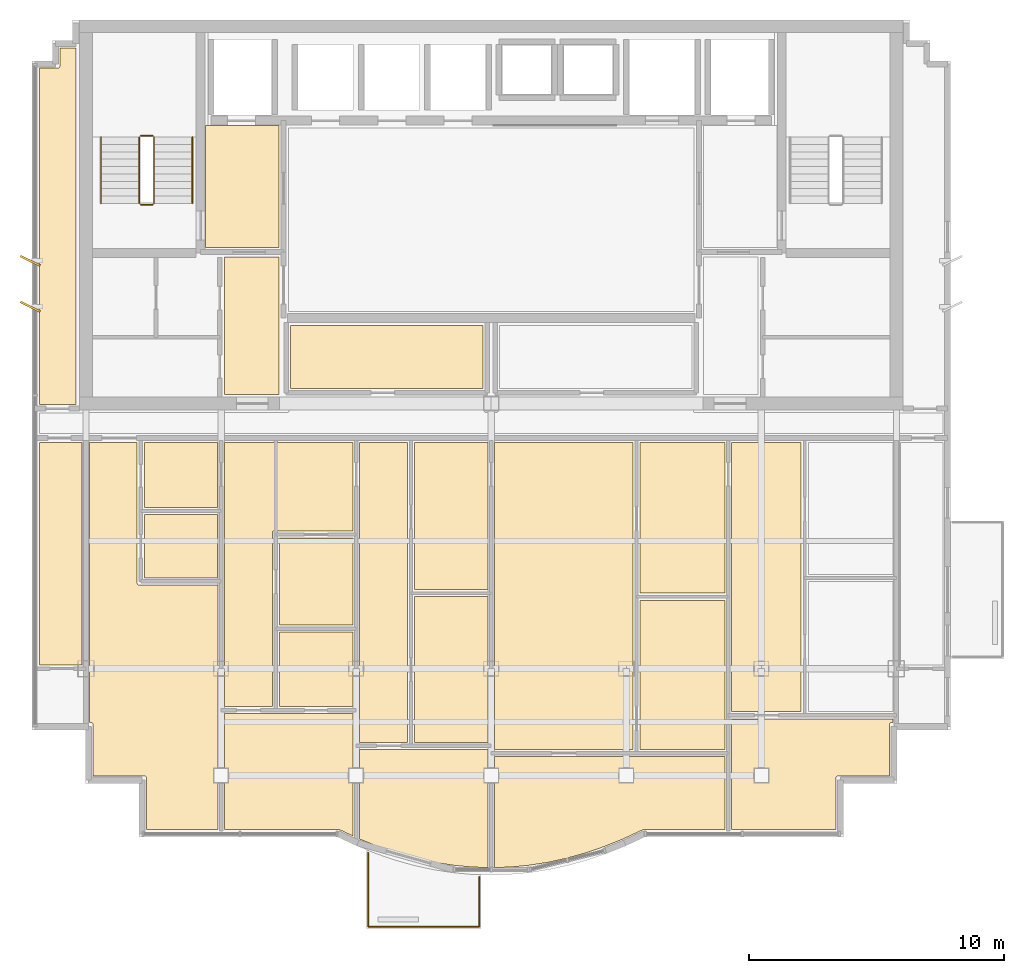
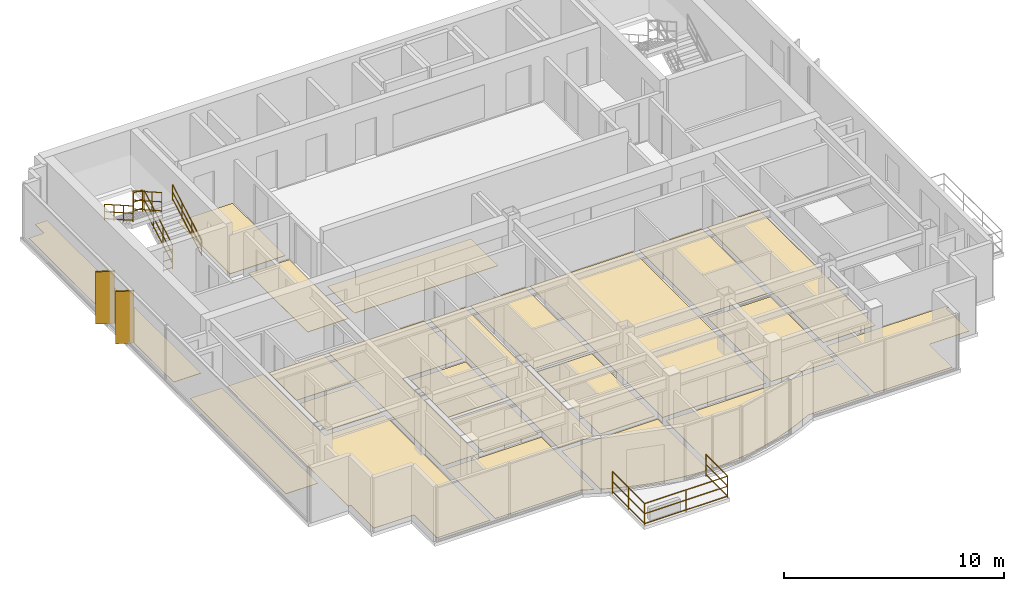
# One storey, part 10 of 11: 22 coverings, 7 railings, 2 shading devices.
"""IFC4 building model written with IfcOpenShell, lengths in metres."""

from ifc_helpers import new_model, si_unit, direction, frame, origin, origin_2d, place, context, subcontext, project, spatial, polyline, rectangle, circle, outline, extrude, source, transform, mapped, material, layer, layer_set, type_object, element, save


model = new_model("IFC4")

# Units and contexts
model_context = context("Model", 3, precision=1e-05, world=origin(), true_north=direction((0.0, 1.0)))
body_context = subcontext(model_context, "Body", "Model", "MODEL_VIEW")
ifc_project = project(units=[si_unit("LENGTHUNIT", "METRE"), si_unit("AREAUNIT", "SQUARE_METRE"), si_unit("VOLUMEUNIT", "CUBIC_METRE"), si_unit("PLANEANGLEUNIT", "RADIAN"), si_unit("MASSUNIT", "GRAM", prefix="KILO")], contexts=[model_context])

# Site, building, storey
site_placement = place(None, origin())
site = spatial("IfcSite", under=ifc_project, at=site_placement, CompositionType="ELEMENT")
building_placement = place(site_placement, origin())
building = spatial("IfcBuilding", under=site, at=building_placement, Name="Qianlan Lanfeng Residences", CompositionType="ELEMENT")
storey_placement = place(building_placement, frame((0.0, 0.0, 262.699951171875)))
storey = spatial("IfcBuildingStorey", under=building, at=storey_placement, Name="L73", CompositionType="ELEMENT", Elevation=262.699951171875)

# Coverings
ifc_material_1 = material(Name="Honed Taitung Granite Stone Flooring", Category="masonry")
ifc_layer_1 = layer(ifc_material_1, 0.030029296875)
ifc_layer_set_1 = layer_set([ifc_layer_1], Name="Honed Taitung Granite Stone Flooring")
covering_type_1 = type_object("IfcCoveringType", Name="FLR-STN-30", PredefinedType="FLOORING", material=ifc_layer_set_1)
covering_1_placement = place(storey_placement, origin())
element("IfcCovering", 1, at=covering_1_placement, inside=storey, type_object=covering_type_1, Name="L73 Firefighting Lift Lobby Floor Finish", PredefinedType="FLOORING", context=body_context, shape_type="SweptSolid", body=[
    extrude(outline(polyline([(15.2900390625, 31.320068359375), (18.179931640625, 31.320068359375), (18.179931640625, 36.110107421875), (15.2900390625, 36.110107421875), (15.2900390625, 31.320068359375)])), origin(), (0.0, 0.0, 1.0), 0.030029296875),
])
covering_2_placement = place(storey_placement, origin())
element("IfcCovering", 2, at=covering_2_placement, inside=storey, type_object=covering_type_1, Name="L73 Lift Lobby Floor Finish", PredefinedType="FLOORING", context=body_context, shape_type="SweptSolid", body=[
    extrude(outline(polyline([(16.030029296875, 25.56005859375), (18.169921875, 25.56005859375), (18.169921875, 30.949951171875), (16.030029296875, 30.949951171875), (16.030029296875, 25.56005859375)])), origin(), (0.0, 0.0, 1.0), 0.030029296875),
])
ifc_material_2 = material(Name="Slip-Resistant Porcelain Tile Flooring")
ifc_layer_2 = layer(ifc_material_2, 0.02001953125)
ifc_layer_set_2 = layer_set([ifc_layer_2], Name="Slip-Resistant Porcelain Tile Flooring")
covering_type_2 = type_object("IfcCoveringType", Name="FLR-TIL-20", PredefinedType="FLOORING", material=ifc_layer_set_2)
covering_3_placement = place(storey_placement, origin())
element("IfcCovering", 3, at=covering_3_placement, inside=storey, type_object=covering_type_2, Name="L73 Kitchen Floor Finish", PredefinedType="FLOORING", context=body_context, shape_type="SweptSolid", body=[
    extrude(outline(polyline([(12.889892578125, 18.360107421875), (15.760009765625, 18.360107421875), (15.760009765625, 20.844970703125), (12.889892578125, 20.844970703125), (12.889892578125, 18.360107421875)])), origin(), (0.0, 0.0, 1.0), 0.02001953125),
])
covering_4_placement = place(storey_placement, origin())
element("IfcCovering", 4, at=covering_4_placement, inside=storey, type_object=covering_type_2, Name="L73 Bathroom Floor Finish", PredefinedType="FLOORING", context=body_context, shape_type="SweptSolid", body=[
    extrude(outline(polyline([(12.889892578125, 21.125), (15.760009765625, 21.125), (15.760009765625, 23.679931640625), (12.889892578125, 23.679931640625), (12.889892578125, 21.125)])), origin(), (0.0, 0.0, 1.0), 0.02001953125),
])
covering_5_placement = place(storey_placement, origin())
element("IfcCovering", 5, at=covering_5_placement, inside=storey, type_object=covering_type_2, Name="L73 En-Suite Bathroom Floor Finish", PredefinedType="FLOORING", context=body_context, shape_type="SweptSolid", body=[
    extrude(outline(polyline([(18.18994140625, 13.31005859375), (21.070068359375, 13.31005859375), (21.070068359375, 16.22998046875), (18.18994140625, 16.22998046875), (18.18994140625, 13.31005859375)])), origin(), (0.0, 0.0, 1.0), 0.02001953125),
])
ifc_material_3 = material(Name="Engineered Smoked Oak Timber Flooring", Category="wood")
ifc_layer_3 = layer(ifc_material_3, 0.02197265625)
ifc_layer_set_3 = layer_set([ifc_layer_3], Name="Engineered Smoked Oak Timber Flooring")
covering_type_3 = type_object("IfcCoveringType", Name="FLR-TIM-22", PredefinedType="FLOORING", material=ifc_layer_set_3)
covering_6_placement = place(storey_placement, origin())
element("IfcCovering", 6, at=covering_6_placement, inside=storey, type_object=covering_type_3, Name="L73 Gallery Salon Floor Finish", PredefinedType="FLOORING", context=body_context, shape_type="SweptSolid", body=[
    extrude(outline(polyline([(18.6298828125, 25.800048828125), (26.169921875, 25.800048828125), (26.169921875, 28.2548828125), (18.6298828125, 28.2548828125), (18.6298828125, 25.800048828125)])), origin(), (0.0, 0.0, 1.0), 0.02197265625),
])
covering_7_placement = place(storey_placement, origin())
element("IfcCovering", 7, at=covering_7_placement, inside=storey, type_object=covering_type_3, Name="L73 Living and Dining Room Floor Finish", PredefinedType="FLOORING", context=body_context, shape_type="SweptSolid", body=[
    extrude(outline(polyline([(15.77001953125, 8.489990234375), (15.77001953125, 18.080078125), (12.679931640625, 18.080078125), (12.673095703125, 18.080078125), (12.666015625, 18.0810546875), (12.659912109375, 18.0830078125), (12.653076171875, 18.0849609375), (12.64697265625, 18.087890625), (12.64111328125, 18.092041015625), (12.635986328125, 18.095947265625), (12.631103515625, 18.10107421875), (12.6259765625, 18.10595703125), (12.6220703125, 18.111083984375), (12.617919921875, 18.116943359375), (12.614990234375, 18.123046875), (12.613037109375, 18.1298828125), (12.611083984375, 18.135986328125), (12.610107421875, 18.14306640625), (12.610107421875, 18.14990234375), (12.610107421875, 23.679931640625), (10.72998046875, 23.679931640625), (10.72998046875, 12.68994140625), (10.800048828125, 12.68994140625), (10.806884765625, 12.68994140625), (10.81396484375, 12.68896484375), (10.820068359375, 12.68701171875), (10.826904296875, 12.68505859375), (10.8330078125, 12.681884765625), (10.839111328125, 12.677978515625), (10.843994140625, 12.674072265625), (10.84912109375, 12.6689453125), (10.85400390625, 12.6640625), (10.85791015625, 12.658935546875), (10.862060546875, 12.653076171875), (10.864990234375, 12.64697265625), (10.866943359375, 12.639892578125), (10.868896484375, 12.634033203125), (10.8701171875, 12.626953125), (10.8701171875, 12.6201171875), (10.8701171875, 10.590087890625), (12.89990234375, 10.590087890625), (12.906982421875, 10.590087890625), (12.9140625, 10.589111328125), (12.919921875, 10.5869140625), (12.927001953125, 10.5849609375), (12.93310546875, 10.58203125), (12.93896484375, 10.577880859375), (12.944091796875, 10.573974609375), (12.948974609375, 10.569091796875), (12.9541015625, 10.56396484375), (12.9580078125, 10.55908203125), (12.9619140625, 10.552978515625), (12.965087890625, 10.547119140625), (12.967041015625, 10.5400390625), (12.968994140625, 10.533935546875), (12.969970703125, 10.527099609375), (12.969970703125, 10.52001953125), (12.969970703125, 8.489990234375), (15.77001953125, 8.489990234375)])), origin(), (0.0, 0.0, 1.0), 0.02197265625),
])
covering_8_placement = place(storey_placement, origin())
element("IfcCovering", 8, at=covering_8_placement, inside=storey, type_object=covering_type_3, Name="L73 Private Study Floor Finish", PredefinedType="FLOORING", context=body_context, shape_type="SweptSolid", body=[
    extrude(outline(polyline([(18.18994140625, 16.510009765625), (21.070068359375, 16.510009765625), (21.070068359375, 19.919921875), (18.18994140625, 19.919921875), (18.18994140625, 16.510009765625)])), origin(), (0.0, 0.0, 1.0), 0.02197265625),
])
covering_9_placement = place(storey_placement, origin())
element("IfcCovering", 9, at=covering_9_placement, inside=storey, type_object=covering_type_3, Name="L73 Villa Family Sitting Room Floor Finish", PredefinedType="FLOORING", context=body_context, shape_type="SweptSolid", body=[
    extrude(outline(polyline([(16.030029296875, 13.31005859375), (17.909912109375, 13.31005859375), (17.909912109375, 20.1298828125), (17.909912109375, 20.136962890625), (17.910888671875, 20.14404296875), (17.9130859375, 20.14990234375), (17.9150390625, 20.156982421875), (17.91796875, 20.1630859375), (17.922119140625, 20.1689453125), (17.926025390625, 20.174072265625), (17.930908203125, 20.178955078125), (17.93603515625, 20.18408203125), (17.94091796875, 20.18798828125), (17.947021484375, 20.19189453125), (17.952880859375, 20.195068359375), (17.9599609375, 20.197021484375), (17.966064453125, 20.198974609375), (17.972900390625, 20.199951171875), (17.97998046875, 20.199951171875), (21.070068359375, 20.199951171875), (21.070068359375, 23.679931640625), (16.030029296875, 23.679931640625), (16.030029296875, 13.31005859375)])), origin(), (0.0, 0.0, 1.0), 0.02197265625),
])
covering_10_placement = place(storey_placement, origin())
element("IfcCovering", 10, at=covering_10_placement, inside=storey, type_object=covering_type_3, Name="L73 Master Bedroom Floor Finish", PredefinedType="FLOORING", context=body_context, shape_type="SweptSolid", body=[
    extrude(outline(polyline([(16.030029296875, 13.030029296875), (16.030029296875, 8.489990234375), (20.509033203125, 8.489990234375), (20.51611328125, 8.489990234375), (20.52392578125, 8.488037109375), (20.531005859375, 8.486083984375), (20.5380859375, 8.48291015625), (21.070068359375, 8.236083984375), (21.070068359375, 13.030029296875), (16.030029296875, 13.030029296875)])), origin(), (0.0, 0.0, 1.0), 0.02197265625),
])
covering_11_placement = place(storey_placement, origin())
element("IfcCovering", 11, at=covering_11_placement, inside=storey, type_object=covering_type_3, Name="L73 Bedroom Floor Finish", PredefinedType="FLOORING", context=body_context, shape_type="SweptSolid", body=[
    extrude(outline(polyline([(21.330078125, 11.6298828125), (21.330078125, 8.114013671875), (21.3310546875, 8.114013671875), (22.071044921875, 7.81591796875), (22.81103515625, 7.56298828125), (23.550048828125, 7.35693359375), (24.2880859375, 7.196044921875), (25.02587890625, 7.08203125), (25.762939453125, 7.012939453125), (26.3701171875, 6.993896484375), (26.3701171875, 11.6298828125), (21.330078125, 11.6298828125)])), origin(), (0.0, 0.0, 1.0), 0.02197265625),
])
covering_12_placement = place(storey_placement, origin())
element("IfcCovering", 12, at=covering_12_placement, inside=storey, type_object=covering_type_3, Name="L73 Private Study Floor Finish", PredefinedType="FLOORING", context=body_context, shape_type="SweptSolid", body=[
    extrude(outline(polyline([(23.489990234375, 11.909912109375), (26.3701171875, 11.909912109375), (26.3701171875, 17.6201171875), (23.489990234375, 17.6201171875), (23.489990234375, 11.909912109375)])), origin(), (0.0, 0.0, 1.0), 0.02197265625),
])
covering_13_placement = place(storey_placement, origin())
element("IfcCovering", 13, at=covering_13_placement, inside=storey, type_object=covering_type_3, Name="L73 Banquet Dining Room Floor Finish", PredefinedType="FLOORING", context=body_context, shape_type="SweptSolid", body=[
    extrude(outline(polyline([(23.489990234375, 17.89990234375), (26.3701171875, 17.89990234375), (26.3701171875, 23.679931640625), (23.489990234375, 23.679931640625), (23.489990234375, 17.89990234375)])), origin(), (0.0, 0.0, 1.0), 0.02197265625),
])
covering_14_placement = place(storey_placement, origin())
element("IfcCovering", 14, at=covering_14_placement, inside=storey, type_object=covering_type_3, Name="L73 Home Office Floor Finish", PredefinedType="FLOORING", context=body_context, shape_type="SweptSolid", body=[
    extrude(outline(polyline([(21.330078125, 11.909912109375), (23.2099609375, 11.909912109375), (23.2099609375, 23.679931640625), (21.330078125, 23.679931640625), (21.330078125, 11.909912109375)])), origin(), (0.0, 0.0, 1.0), 0.02197265625),
])
covering_15_placement = place(storey_placement, origin())
element("IfcCovering", 15, at=covering_15_placement, inside=storey, type_object=covering_type_3, Name="L73 Guest Bedroom Floor Finish", PredefinedType="FLOORING", context=body_context, shape_type="SweptSolid", body=[
    extrude(outline(polyline([(26.6298828125, 11.344970703125), (26.6298828125, 6.993896484375), (27.237060546875, 7.012939453125), (27.97412109375, 7.08203125), (28.7119140625, 7.196044921875), (29.449951171875, 7.35693359375), (30.18896484375, 7.56298828125), (30.928955078125, 7.81591796875), (31.6689453125, 8.114013671875), (32.4619140625, 8.48291015625), (32.468994140625, 8.486083984375), (32.47607421875, 8.488037109375), (32.48388671875, 8.489990234375), (32.490966796875, 8.489990234375), (35.669921875, 8.489990234375), (35.669921875, 11.344970703125), (26.6298828125, 11.344970703125)])), origin(), (0.0, 0.0, 1.0), 0.02197265625),
])
covering_16_placement = place(storey_placement, origin())
element("IfcCovering", 16, at=covering_16_placement, inside=storey, type_object=covering_type_3, Name="L73 Private Study Floor Finish", PredefinedType="FLOORING", context=body_context, shape_type="SweptSolid", body=[
    extrude(outline(polyline([(32.340087890625, 11.625), (35.669921875, 11.625), (35.669921875, 17.47705078125), (32.340087890625, 17.47705078125), (32.340087890625, 11.625)])), origin(), (0.0, 0.0, 1.0), 0.02197265625),
])
covering_17_placement = place(storey_placement, origin())
element("IfcCovering", 17, at=covering_17_placement, inside=storey, type_object=covering_type_3, Name="L73 Banquet Dining Room Floor Finish", PredefinedType="FLOORING", context=body_context, shape_type="SweptSolid", body=[
    extrude(outline(polyline([(32.340087890625, 17.757080078125), (35.669921875, 17.757080078125), (35.669921875, 23.679931640625), (32.340087890625, 23.679931640625), (32.340087890625, 17.757080078125)])), origin(), (0.0, 0.0, 1.0), 0.02197265625),
])
covering_18_placement = place(storey_placement, origin())
element("IfcCovering", 18, at=covering_18_placement, inside=storey, type_object=covering_type_3, Name="L73 Home Office Floor Finish", PredefinedType="FLOORING", context=body_context, shape_type="SweptSolid", body=[
    extrude(outline(polyline([(26.6298828125, 11.625), (32.06005859375, 11.625), (32.06005859375, 23.679931640625), (26.6298828125, 23.679931640625), (26.6298828125, 11.625)])), origin(), (0.0, 0.0, 1.0), 0.02197265625),
])
covering_19_placement = place(storey_placement, origin())
element("IfcCovering", 19, at=covering_19_placement, inside=storey, type_object=covering_type_3, Name="L73 Guest Bedroom Floor Finish", PredefinedType="FLOORING", context=body_context, shape_type="SweptSolid", body=[
    extrude(outline(polyline([(35.929931640625, 12.830078125), (35.929931640625, 8.489990234375), (40.030029296875, 8.489990234375), (40.030029296875, 10.52001953125), (40.030029296875, 10.527099609375), (40.031005859375, 10.533935546875), (40.032958984375, 10.5400390625), (40.034912109375, 10.547119140625), (40.0380859375, 10.552978515625), (40.0419921875, 10.55908203125), (40.0458984375, 10.56396484375), (40.051025390625, 10.569091796875), (40.055908203125, 10.573974609375), (40.06103515625, 10.577880859375), (40.06689453125, 10.58203125), (40.072998046875, 10.5849609375), (40.080078125, 10.5869140625), (40.0859375, 10.589111328125), (40.093017578125, 10.590087890625), (40.10009765625, 10.590087890625), (42.1298828125, 10.590087890625), (42.1298828125, 12.6201171875), (42.1298828125, 12.626953125), (42.131103515625, 12.634033203125), (42.133056640625, 12.639892578125), (42.135009765625, 12.64697265625), (42.137939453125, 12.653076171875), (42.14208984375, 12.658935546875), (42.14599609375, 12.6640625), (42.15087890625, 12.6689453125), (42.156005859375, 12.674072265625), (42.160888671875, 12.677978515625), (42.1669921875, 12.681884765625), (42.173095703125, 12.68505859375), (42.179931640625, 12.68701171875), (42.18603515625, 12.68896484375), (42.193115234375, 12.68994140625), (42.199951171875, 12.68994140625), (42.27001953125, 12.68994140625), (42.27001953125, 12.830078125), (35.929931640625, 12.830078125)])), origin(), (0.0, 0.0, 1.0), 0.02197265625),
])
covering_20_placement = place(storey_placement, origin())
element("IfcCovering", 20, at=covering_20_placement, inside=storey, type_object=covering_type_3, Name="L73 Home Office Floor Finish", PredefinedType="FLOORING", context=body_context, shape_type="SweptSolid", body=[
    extrude(outline(polyline([(35.929931640625, 13.110107421875), (38.659912109375, 13.110107421875), (38.659912109375, 23.679931640625), (35.929931640625, 23.679931640625), (35.929931640625, 13.110107421875)])), origin(), (0.0, 0.0, 1.0), 0.02197265625),
])
covering_21_placement = place(storey_placement, origin())
element("IfcCovering", 21, at=covering_21_placement, inside=storey, type_object=covering_type_3, Name="L73 Family Sitting Room Floor Finish", PredefinedType="FLOORING", context=body_context, shape_type="SweptSolid", body=[
    extrude(outline(polyline([(10.43994140625, 23.679931640625), (8.77001953125, 23.679931640625), (8.77001953125, 14.949951171875), (10.43994140625, 14.949951171875), (10.43994140625, 23.679931640625)])), origin(), (0.0, 0.0, 1.0), 0.02197265625),
])
covering_22_placement = place(storey_placement, origin())
element("IfcCovering", 22, at=covering_22_placement, inside=storey, type_object=covering_type_3, Name="L73 Telescope Viewing Room Floor Finish", PredefinedType="FLOORING", context=body_context, shape_type="SweptSolid", body=[
    extrude(outline(polyline([(10.199951171875, 25.169921875), (10.199951171875, 39.159912109375), (9.570068359375, 39.159912109375), (9.570068359375, 38.429931640625), (9.570068359375, 38.423095703125), (9.569091796875, 38.416015625), (9.56689453125, 38.409912109375), (9.56494140625, 38.403076171875), (9.56201171875, 38.39697265625), (9.55810546875, 38.39111328125), (9.553955078125, 38.385986328125), (9.549072265625, 38.381103515625), (9.5439453125, 38.3759765625), (9.5390625, 38.3720703125), (9.532958984375, 38.367919921875), (9.527099609375, 38.364990234375), (9.52001953125, 38.363037109375), (9.513916015625, 38.361083984375), (9.507080078125, 38.360107421875), (9.5, 38.360107421875), (8.77001953125, 38.360107421875), (8.77001953125, 25.169921875), (10.199951171875, 25.169921875)])), origin(), (0.0, 0.0, 1.0), 0.02197265625),
])

# Railings
ifc_material_4 = material(Name="Anodised Bronze Aluminium and Laminated Glass Guard Balustrade", Category="aluminium")
railing_type_1 = type_object("IfcRailingType", Name="GR-EXT-1220", PredefinedType="BALUSTRADE", material=ifc_material_4)
railing_1_placement = place(storey_placement, frame((26.030029296875, 6.64404296875, 0.0)))
element("IfcRailing", 23, at=railing_1_placement, inside=storey, type_object=railing_type_1, Name="L73 Terrace Safety Guard GR-L73-SB-C", PredefinedType="BALUSTRADE", context=body_context, shape_type="SweptSolid", body=[
    extrude(circle(Radius=0.02490234375, at=origin_2d()), frame((0.0, 0.0, 0.0849609375), z_axis=(0.0, -1.0, 0.0), x_axis=(1.0, 0.0, 0.0)), (0.0, 0.0, 1.0), 1.97412109375),
    extrude(circle(Radius=0.02490234375, at=origin_2d()), frame((0.0, 0.0, 0.63427734375), z_axis=(0.0, -1.0, 0.0), x_axis=(1.0, 0.0, 0.0)), (0.0, 0.0, 1.0), 1.97412109375),
    extrude(circle(Radius=0.02490234375, at=origin_2d()), frame((0.0, 0.0, 1.19482421875), z_axis=(0.0, -1.0, 0.0), x_axis=(1.0, 0.0, 0.0)), (0.0, 0.0, 1.0), 1.97412109375),
    extrude(circle(Radius=0.02490234375, at=origin_2d()), frame((0.0, -1.97412109375, 0.0849609375), z_axis=(-1.0, 0.0, 0.0), x_axis=(0.0, -1.0, 0.0)), (0.0, 0.0, 1.0), 4.360107421875),
    extrude(circle(Radius=0.02490234375, at=origin_2d()), frame((0.0, -1.97412109375, 0.63427734375), z_axis=(-1.0, 0.0, 0.0), x_axis=(0.0, -1.0, 0.0)), (0.0, 0.0, 1.0), 4.360107421875),
    extrude(circle(Radius=0.02490234375, at=origin_2d()), frame((0.0, -1.97412109375, 1.19482421875), z_axis=(-1.0, 0.0, 0.0), x_axis=(0.0, -1.0, 0.0)), (0.0, 0.0, 1.0), 4.360107421875),
    extrude(circle(Radius=0.02490234375, at=origin_2d()), frame((-4.360107421875, -1.97412109375, 0.0849609375), z_axis=(0.0, 1.0, 0.0), x_axis=(-1.0, 0.0, 0.0)), (0.0, 0.0, 1.0), 2.919189453125),
    extrude(circle(Radius=0.02490234375, at=origin_2d()), frame((-4.360107421875, -1.97412109375, 0.63427734375), z_axis=(0.0, 1.0, 0.0), x_axis=(-1.0, 0.0, 0.0)), (0.0, 0.0, 1.0), 2.919189453125),
    extrude(circle(Radius=0.02490234375, at=origin_2d()), frame((-4.360107421875, -1.97412109375, 1.19482421875), z_axis=(0.0, 1.0, 0.0), x_axis=(-1.0, 0.0, 0.0)), (0.0, 0.0, 1.0), 2.919189453125),
    extrude(circle(Radius=0.02099609375, at=origin_2d()), origin(), (0.0, 0.0, 1.0), 1.169921875),
    extrude(circle(Radius=0.02099609375, at=origin_2d()), frame((0.0, -1.97412109375, 0.0)), (0.0, 0.0, 1.0), 1.169921875),
    extrude(circle(Radius=0.02099609375, at=origin_2d()), frame((-2.18017578125, -1.97412109375, 0.0)), (0.0, 0.0, 1.0), 1.169921875),
    extrude(circle(Radius=0.02099609375, at=origin_2d()), frame((-4.360107421875, -1.97412109375, 0.0)), (0.0, 0.0, 1.0), 1.169921875),
    extrude(circle(Radius=0.02099609375, at=origin_2d()), frame((-4.360107421875, -0.5146484375, 0.0)), (0.0, 0.0, 1.0), 1.169921875),
    extrude(circle(Radius=0.02099609375, at=origin_2d()), frame((-4.360107421875, 0.945068359375, 0.0)), (0.0, 0.0, 1.0), 1.169921875),
])
ifc_material_5 = material(Name="Painted Galvanised Steel Guardrail", Category="steel")
railing_type_2 = type_object("IfcRailingType", Name="GR-ST-1120", PredefinedType="GUARDRAIL", material=ifc_material_5)
railing_2_placement = place(storey_placement, frame((13.27001953125, 33.050048828125, 0.1650390625)))
element("IfcRailing", 24, at=railing_2_placement, inside=storey, type_object=railing_type_2, Name="L73 ST-1 stair guard 1", PredefinedType="GUARDRAIL", context=body_context, shape_type="SweptSolid", body=[
    extrude(circle(Radius=0.02392578125, at=origin_2d()), frame((0.0, 0.0, 0.083984375), z_axis=(0.0, 0.869137319866, 0.494570843475), x_axis=(-1.0, 0.0, 0.0)), (0.0, 0.0, 1.0), 3.0029296875),
    extrude(circle(Radius=0.02392578125, at=origin_2d()), frame((0.0, 0.0, 0.58251953125), z_axis=(0.0, 0.869137319866, 0.494570843475), x_axis=(-1.0, 0.0, 0.0)), (0.0, 0.0, 1.0), 3.0029296875),
    extrude(circle(Radius=0.02392578125, at=origin_2d()), frame((0.0, 0.0, 1.09619140625), z_axis=(0.0, 0.869137319866, 0.494570843475), x_axis=(-1.0, 0.0, 0.0)), (0.0, 0.0, 1.0), 3.0029296875),
    extrude(circle(Radius=0.02099609375, at=origin_2d()), origin(), (0.0, 0.0, 1.0), 1.072021484375),
    extrude(circle(Radius=0.02099609375, at=origin_2d()), frame((0.0, 0.869873046875, 0.4951171875)), (0.0, 0.0, 1.0), 1.072021484375),
    extrude(circle(Radius=0.02099609375, at=origin_2d()), frame((0.0, 1.739990234375, 0.989990234375)), (0.0, 0.0, 1.0), 1.072021484375),
    extrude(circle(Radius=0.02099609375, at=origin_2d()), frame((0.0, 2.60986328125, 1.485107421875)), (0.0, 0.0, 1.0), 1.072021484375),
])
railing_3_placement = place(storey_placement, frame((13.219970703125, 35.7099609375, 1.650146484375)))
element("IfcRailing", 25, at=railing_3_placement, inside=storey, type_object=railing_type_2, Name="L73 ST-1 stair guard 2", PredefinedType="GUARDRAIL", context=body_context, shape_type="SweptSolid", body=[
    extrude(circle(Radius=0.02392578125, at=origin_2d()), frame((0.0, 0.0, 0.083984375), z_axis=(-1.0, 0.0, 0.0), x_axis=(0.0, -1.0, 0.0)), (0.0, 0.0, 1.0), 0.47998046875),
    extrude(circle(Radius=0.02392578125, at=origin_2d()), frame((0.0, 0.0, 0.58251953125), z_axis=(-1.0, 0.0, 0.0), x_axis=(0.0, -1.0, 0.0)), (0.0, 0.0, 1.0), 0.47998046875),
    extrude(circle(Radius=0.02392578125, at=origin_2d()), frame((0.0, 0.0, 1.09619140625), z_axis=(-1.0, 0.0, 0.0), x_axis=(0.0, -1.0, 0.0)), (0.0, 0.0, 1.0), 0.47998046875),
    extrude(circle(Radius=0.02099609375, at=origin_2d()), origin(), (0.0, 0.0, 1.0), 1.072021484375),
    extrude(circle(Radius=0.02099609375, at=origin_2d()), frame((-0.47998046875, 0.0, 0.0)), (0.0, 0.0, 1.0), 1.072021484375),
])
railing_4_placement = place(storey_placement, frame((12.68994140625, 35.659912109375, 1.81494140625)))
element("IfcRailing", 26, at=railing_4_placement, inside=storey, type_object=railing_type_2, Name="L73 ST-1 stair guard 3", PredefinedType="GUARDRAIL", context=body_context, shape_type="SweptSolid", body=[
    extrude(circle(Radius=0.02392578125, at=origin_2d()), frame((0.0, 0.0, 0.083984375), z_axis=(0.0, -0.869137319866, 0.494570843475), x_axis=(1.0, 0.0, 0.0)), (0.0, 0.0, 1.0), 3.0029296875),
    extrude(circle(Radius=0.02392578125, at=origin_2d()), frame((0.0, 0.0, 0.58251953125), z_axis=(0.0, -0.869137319866, 0.494570843475), x_axis=(1.0, 0.0, 0.0)), (0.0, 0.0, 1.0), 3.0029296875),
    extrude(circle(Radius=0.02392578125, at=origin_2d()), frame((0.0, 0.0, 1.09619140625), z_axis=(0.0, -0.869137319866, 0.494570843475), x_axis=(1.0, 0.0, 0.0)), (0.0, 0.0, 1.0), 3.0029296875),
    extrude(circle(Radius=0.02099609375, at=origin_2d()), origin(), (0.0, 0.0, 1.0), 1.072021484375),
    extrude(circle(Radius=0.02099609375, at=origin_2d()), frame((0.0, -0.869873046875, 0.4951171875)), (0.0, 0.0, 1.0), 1.072021484375),
    extrude(circle(Radius=0.02099609375, at=origin_2d()), frame((0.0, -1.739990234375, 0.989990234375)), (0.0, 0.0, 1.0), 1.072021484375),
    extrude(circle(Radius=0.02099609375, at=origin_2d()), frame((0.0, -2.60986328125, 1.485107421875)), (0.0, 0.0, 1.0), 1.072021484375),
])
railing_5_placement = place(storey_placement, frame((13.219970703125, 33.0, 0.0)))
element("IfcRailing", 27, at=railing_5_placement, inside=storey, type_object=railing_type_2, Name="L73 ST-1 stair guard 4", PredefinedType="GUARDRAIL", context=body_context, shape_type="SweptSolid", body=[
    extrude(circle(Radius=0.02392578125, at=origin_2d()), frame((0.0, 0.0, 0.083984375), z_axis=(-1.0, 0.0, 0.0), x_axis=(0.0, -1.0, 0.0)), (0.0, 0.0, 1.0), 0.47998046875),
    extrude(circle(Radius=0.02392578125, at=origin_2d()), frame((0.0, 0.0, 0.58251953125), z_axis=(-1.0, 0.0, 0.0), x_axis=(0.0, -1.0, 0.0)), (0.0, 0.0, 1.0), 0.47998046875),
    extrude(circle(Radius=0.02392578125, at=origin_2d()), frame((0.0, 0.0, 1.09619140625), z_axis=(-1.0, 0.0, 0.0), x_axis=(0.0, -1.0, 0.0)), (0.0, 0.0, 1.0), 0.47998046875),
    extrude(circle(Radius=0.02099609375, at=origin_2d()), origin(), (0.0, 0.0, 1.0), 1.072021484375),
    extrude(circle(Radius=0.02099609375, at=origin_2d()), frame((-0.47998046875, 0.0, 0.0)), (0.0, 0.0, 1.0), 1.072021484375),
])
ifc_material_6 = material(Name="Brushed Stainless Steel Handrail", Category="steel")
railing_type_3 = type_object("IfcRailingType", Name="HR-ST-920", PredefinedType="HANDRAIL", material=ifc_material_6)
railing_6_placement = place(storey_placement, frame((14.77001953125, 33.050048828125, 0.1650390625)))
element("IfcRailing", 28, at=railing_6_placement, inside=storey, type_object=railing_type_3, Name="L73 ST-1 stair handrail 1", PredefinedType="HANDRAIL", context=body_context, shape_type="SweptSolid", body=[
    extrude(circle(Radius=0.02392578125, at=origin_2d()), frame((0.0, 0.0, 0.083984375), z_axis=(0.0, 0.869137319866, 0.494570843475), x_axis=(-1.0, 0.0, 0.0)), (0.0, 0.0, 1.0), 3.0029296875),
    extrude(circle(Radius=0.02392578125, at=origin_2d()), frame((0.0, 0.0, 0.468017578125), z_axis=(0.0, 0.869137319866, 0.494570843475), x_axis=(-1.0, 0.0, 0.0)), (0.0, 0.0, 1.0), 3.0029296875),
    extrude(circle(Radius=0.02392578125, at=origin_2d()), frame((0.0, 0.0, 0.8759765625), z_axis=(0.0, 0.869137319866, 0.494570843475), x_axis=(-1.0, 0.0, 0.0)), (0.0, 0.0, 1.0), 3.0029296875),
    extrude(circle(Radius=0.02099609375, at=origin_2d()), origin(), (0.0, 0.0, 1.0), 0.851806640625),
    extrude(circle(Radius=0.02099609375, at=origin_2d()), frame((0.0, 0.869873046875, 0.4951171875)), (0.0, 0.0, 1.0), 0.851806640625),
    extrude(circle(Radius=0.02099609375, at=origin_2d()), frame((0.0, 1.739990234375, 0.989990234375)), (0.0, 0.0, 1.0), 0.851806640625),
    extrude(circle(Radius=0.02099609375, at=origin_2d()), frame((0.0, 2.60986328125, 1.485107421875)), (0.0, 0.0, 1.0), 0.851806640625),
])
railing_7_placement = place(storey_placement, frame((11.18994140625, 35.659912109375, 1.81494140625)))
element("IfcRailing", 29, at=railing_7_placement, inside=storey, type_object=railing_type_3, Name="L73 ST-1 stair handrail 2", PredefinedType="HANDRAIL", context=body_context, shape_type="SweptSolid", body=[
    extrude(circle(Radius=0.02392578125, at=origin_2d()), frame((0.0, 0.0, 0.083984375), z_axis=(0.0, -0.869137319866, 0.494570843475), x_axis=(1.0, 0.0, 0.0)), (0.0, 0.0, 1.0), 3.0029296875),
    extrude(circle(Radius=0.02392578125, at=origin_2d()), frame((0.0, 0.0, 0.468017578125), z_axis=(0.0, -0.869137319866, 0.494570843475), x_axis=(1.0, 0.0, 0.0)), (0.0, 0.0, 1.0), 3.0029296875),
    extrude(circle(Radius=0.02392578125, at=origin_2d()), frame((0.0, 0.0, 0.8759765625), z_axis=(0.0, -0.869137319866, 0.494570843475), x_axis=(1.0, 0.0, 0.0)), (0.0, 0.0, 1.0), 3.0029296875),
    extrude(circle(Radius=0.02099609375, at=origin_2d()), origin(), (0.0, 0.0, 1.0), 0.851806640625),
    extrude(circle(Radius=0.02099609375, at=origin_2d()), frame((0.0, -0.869873046875, 0.4951171875)), (0.0, 0.0, 1.0), 0.851806640625),
    extrude(circle(Radius=0.02099609375, at=origin_2d()), frame((0.0, -1.739990234375, 0.989990234375)), (0.0, 0.0, 1.0), 0.851806640625),
    extrude(circle(Radius=0.02099609375, at=origin_2d()), frame((0.0, -2.60986328125, 1.485107421875)), (0.0, 0.0, 1.0), 0.851806640625),
])

# Shading devices
ifc_material_7 = material(Name="Anodised Bronze Aluminium Solar Fin", Category="aluminium")
shading_device_type = type_object("IfcShadingDeviceType", Name="FIN-BRZ-850", PredefinedType="SHUTTER", material=ifc_material_7)
shared_shape = source(origin(), body_context, "Body", "SweptSolid", [
    extrude(rectangle(XDim=0.85009765625, YDim=0.080078125, at=origin_2d()), origin(), (0.0, 0.0, 1.0), 2.89990234375),
])
for number, where, z_axis, x_axis, name in (
    (30, (8.409912109375, 29.0, 0.0), (0.0, 0.0, 1.0), (0.898794046299, -0.438371146789, 0.0), "L73 Raked Bronze Solar Fin W1"),
    (31, (8.409912109375, 30.800048828125, 0.0), (0.0, 0.0, 1.0), (0.898794046299, -0.438371146789, 0.0), "L73 Raked Bronze Solar Fin W2"),
):
    element("IfcShadingDevice", number, at=place(storey_placement, frame(where, z_axis=z_axis, x_axis=x_axis)), inside=storey, type_object=shading_device_type, Name=name, PredefinedType="SHUTTER", context=body_context, shape_type="MappedRepresentation", body=[
        mapped(shared_shape, transform((0.0, 0.0, 0.0), scale=1.0)),
    ])

save(model, "model.ifc")
